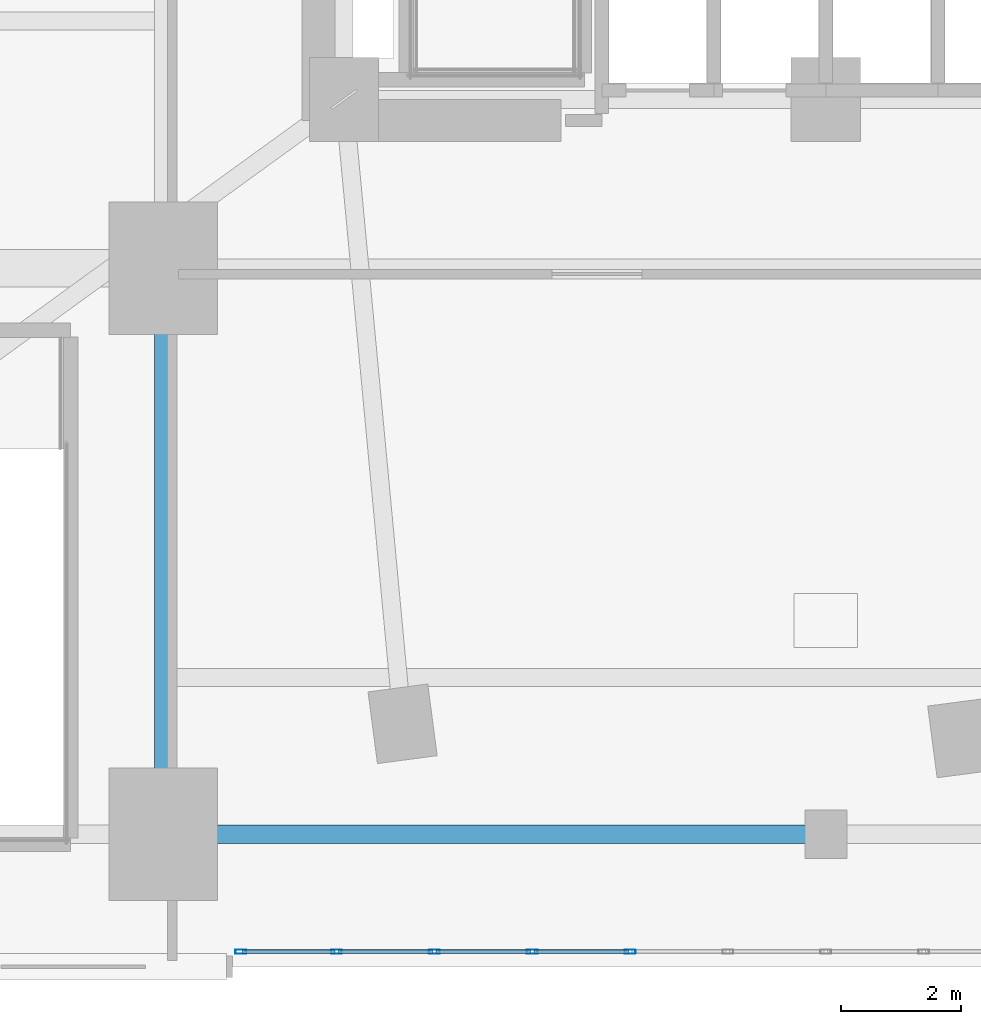
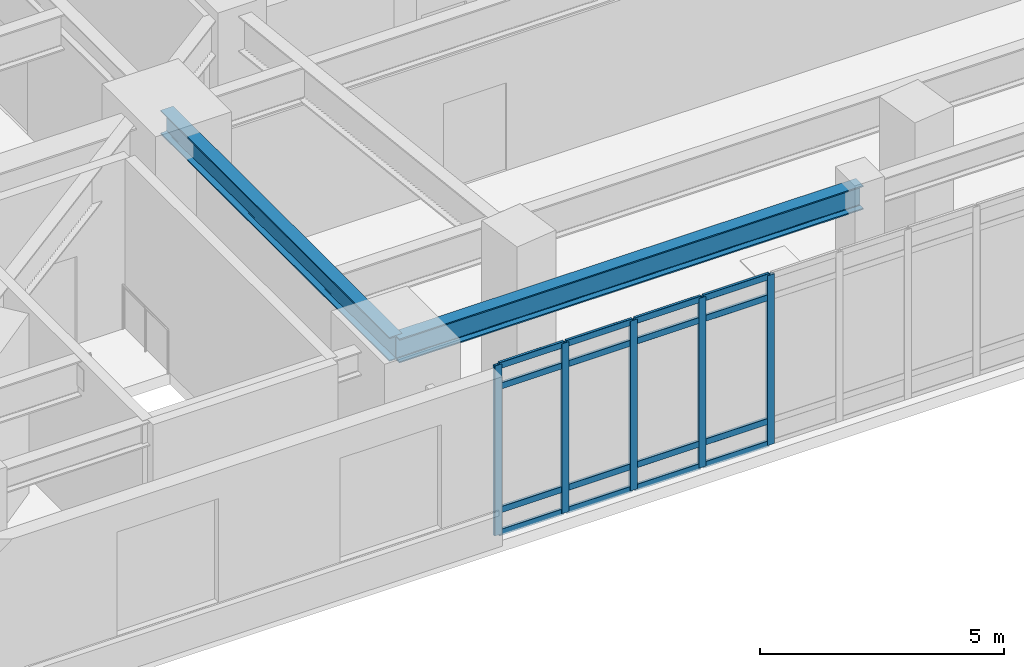
# One storey, part 2 of 20: 21 members, 2 beams, 1 element without a shape of its own.
"""IFC4 building model written with IfcOpenShell, lengths in metres."""

from ifc_helpers import new_model, si_unit, direction, frame, origin, origin_2d, place, context, subcontext, project, spatial, hollow_rectangle, i_section, extrude, material, layer, layer_set, material_profile, profile_set, type_object, element, aggregate, save


model = new_model("IFC4")

# Units and contexts
model_context = context("Model", 3, precision=1e-05, world=origin(), true_north=direction((0.0, 1.0)))
body_context = subcontext(model_context, "Body", "Model", "MODEL_VIEW")
ifc_project = project(units=[si_unit("LENGTHUNIT", "METRE"), si_unit("AREAUNIT", "SQUARE_METRE"), si_unit("VOLUMEUNIT", "CUBIC_METRE"), si_unit("PLANEANGLEUNIT", "RADIAN"), si_unit("MASSUNIT", "GRAM", prefix="KILO")], contexts=[model_context])

# Site, building, storey
site_placement = place(None, origin())
site = spatial("IfcSite", under=ifc_project, at=site_placement, CompositionType="ELEMENT")
building_placement = place(site_placement, origin())
building = spatial("IfcBuilding", under=site, at=building_placement, Name="Ndelora Gate Hotel", CompositionType="ELEMENT")
storey_placement = place(building_placement, frame((0.0, 0.0, 26.0)))
storey = spatial("IfcBuildingStorey", under=building, at=storey_placement, Name="L05", CompositionType="ELEMENT", Elevation=26.0)

# Beams
ifc_material_1 = material(Name="Steel S355", Category="steel")
ifc_material_profile_1 = material_profile(ifc_material_1, i_section(OverallWidth=0.300048828125, OverallDepth=0.60009765625, WebThickness=0.015380859375, FlangeThickness=0.030029296875, FilletRadius=0.027099609375, at=origin_2d()), Name="HEB 600")
ifc_profile_set_1 = profile_set([ifc_material_profile_1], Name="Steel S355")
beam_type = type_object("IfcBeamType", Name="BM-POD-600", PredefinedType="BEAM", material=ifc_profile_set_1)
beam_1_placement = place(storey_placement, frame((-11.0, -18.800048828125, 3.93994140625), z_axis=(0.0, 1.0, 0.0), x_axis=(-1.0, 0.0, 0.0)))
element("IfcBeam", 1, at=beam_1_placement, inside=storey, type_object=beam_type, Name="L05 Podium Longitudinal Girder X=-11.0", PredefinedType="BEAM", context=body_context, shape_type="SweptSolid", body=[
    extrude(i_section(OverallWidth=0.300048828125, OverallDepth=0.60009765625, WebThickness=0.015380859375, FlangeThickness=0.030029296875, FilletRadius=0.027099609375, at=origin_2d()), origin(), (0.0, 0.0, 1.0), 9.400146484375),
])
beam_2_placement = place(storey_placement, frame((-11.0, -18.800048828125, 3.93994140625), z_axis=(1.0, 0.0, 0.0), x_axis=(0.0, 1.0, 0.0)))
element("IfcBeam", 2, at=beam_2_placement, inside=storey, type_object=beam_type, Name="L05 Podium Transverse Girder Y=-18.8", PredefinedType="BEAM", context=body_context, shape_type="SweptSolid", body=[
    extrude(i_section(OverallWidth=0.300048828125, OverallDepth=0.60009765625, WebThickness=0.015380859375, FlangeThickness=0.030029296875, FilletRadius=0.027099609375, at=origin_2d()), origin(), (0.0, 0.0, 1.0), 11.0),
])

# Curtain wall, members
ifc_material_2 = material(Name="Bronze Anodised Unitised Aluminium and Low-E Glass", Category="aluminium")
ifc_layer = layer(ifc_material_2, 0.219970703125)
ifc_layer_set = layer_set([ifc_layer], Name="Bronze Anodised Unitised Aluminium and Low-E Glass")
curtain_wall_type = type_object("IfcCurtainWallType", Name="CW-SYS-2", PredefinedType="NOTDEFINED", material=ifc_layer_set)
curtain_wall_placement = place(storey_placement, origin())
curtain_wall = element("IfcCurtainWall", 3, at=curtain_wall_placement, inside=storey, type_object=curtain_wall_type, Name="L05 South Podium Foyer Curtain Wall CW2", PredefinedType="NOTDEFINED")
ifc_material_3 = material(Name="Bronze Anodised Aluminium 6063-T6", Category="aluminium")
ifc_material_profile_2 = material_profile(ifc_material_3, hollow_rectangle(XDim=0.070068359375, YDim=0.179931640625, WallThickness=0.0048828125, InnerFilletRadius=0.0048828125, OuterFilletRadius=0.010009765625, at=origin_2d()), Name="ALU 180x70x5")
ifc_profile_set_2 = profile_set([ifc_material_profile_2], Name="Bronze Anodised Aluminium 6063-T6")
member_type_1 = type_object("IfcMemberType", Name="MB-CW-MUL180", PredefinedType="MULLION", material=ifc_profile_set_2)
member_1_placement = place(storey_placement, frame((-9.715087890625, -20.75, -0.00390625), z_axis=(0.0, 0.0, 1.0), x_axis=(0.0, 1.0, 0.0)))
member_1 = element("IfcMember", 4, at=member_1_placement, type_object=member_type_1, Name="CW2 mullion 1", PredefinedType="MULLION", context=body_context, shape_type="SweptSolid", body=[
    extrude(hollow_rectangle(XDim=0.070068359375, YDim=0.179931640625, WallThickness=0.0048828125, InnerFilletRadius=0.0048828125, OuterFilletRadius=0.010009765625, at=origin_2d()), origin(), (0.0, 0.0, 1.0), 4.2578125),
])
member_2_placement = place(storey_placement, frame((-8.125, -20.75, -0.00390625), z_axis=(0.0, 0.0, 1.0), x_axis=(0.0, 1.0, 0.0)))
member_2 = element("IfcMember", 5, at=member_2_placement, type_object=member_type_1, Name="CW2 mullion 2", PredefinedType="MULLION", context=body_context, shape_type="SweptSolid", body=[
    extrude(hollow_rectangle(XDim=0.070068359375, YDim=0.179931640625, WallThickness=0.0048828125, InnerFilletRadius=0.0048828125, OuterFilletRadius=0.010009765625, at=origin_2d()), origin(), (0.0, 0.0, 1.0), 4.2578125),
])
member_3_placement = place(storey_placement, frame((-6.5, -20.75, -0.00390625), z_axis=(0.0, 0.0, 1.0), x_axis=(0.0, 1.0, 0.0)))
member_3 = element("IfcMember", 6, at=member_3_placement, type_object=member_type_1, Name="CW2 mullion 3", PredefinedType="MULLION", context=body_context, shape_type="SweptSolid", body=[
    extrude(hollow_rectangle(XDim=0.070068359375, YDim=0.179931640625, WallThickness=0.0048828125, InnerFilletRadius=0.0048828125, OuterFilletRadius=0.010009765625, at=origin_2d()), origin(), (0.0, 0.0, 1.0), 4.2578125),
])
member_4_placement = place(storey_placement, frame((-4.875, -20.75, -0.00390625), z_axis=(0.0, 0.0, 1.0), x_axis=(0.0, 1.0, 0.0)))
member_4 = element("IfcMember", 7, at=member_4_placement, type_object=member_type_1, Name="CW2 mullion 4", PredefinedType="MULLION", context=body_context, shape_type="SweptSolid", body=[
    extrude(hollow_rectangle(XDim=0.070068359375, YDim=0.179931640625, WallThickness=0.0048828125, InnerFilletRadius=0.0048828125, OuterFilletRadius=0.010009765625, at=origin_2d()), origin(), (0.0, 0.0, 1.0), 4.2578125),
])
member_5_placement = place(storey_placement, frame((-3.25, -20.75, -0.00390625), z_axis=(0.0, 0.0, 1.0), x_axis=(0.0, 1.0, 0.0)))
member_5 = element("IfcMember", 8, at=member_5_placement, type_object=member_type_1, Name="CW2 mullion 5", PredefinedType="MULLION", context=body_context, shape_type="SweptSolid", body=[
    extrude(hollow_rectangle(XDim=0.070068359375, YDim=0.179931640625, WallThickness=0.0048828125, InnerFilletRadius=0.0048828125, OuterFilletRadius=0.010009765625, at=origin_2d()), origin(), (0.0, 0.0, 1.0), 4.2578125),
])
ifc_material_profile_3 = material_profile(ifc_material_3, hollow_rectangle(XDim=0.06494140625, YDim=0.159912109375, WallThickness=0.00390625, InnerFilletRadius=0.00390625, OuterFilletRadius=0.008056640625, at=origin_2d()), Name="ALU 160x65x4")
ifc_profile_set_3 = profile_set([ifc_material_profile_3], Name="Bronze Anodised Aluminium 6063-T6")
member_type_2 = type_object("IfcMemberType", Name="MB-CW-TRN150", PredefinedType="USERDEFINED", material=ifc_profile_set_3)
member_6_placement = place(storey_placement, frame((-9.68603515625, -20.75, 0.032470703125), z_axis=(1.0, 0.0, 0.0), x_axis=(0.0, 1.0, 0.0)))
member_6 = element("IfcMember", 9, at=member_6_placement, type_object=member_type_2, Name="CW2 transom 1.1", ObjectType="TRANSOM", PredefinedType="USERDEFINED", context=body_context, shape_type="SweptSolid", body=[
    extrude(hollow_rectangle(XDim=0.06494140625, YDim=0.159912109375, WallThickness=0.00390625, InnerFilletRadius=0.00390625, OuterFilletRadius=0.008056640625, at=origin_2d()), origin(), (0.0, 0.0, 1.0), 1.531982421875),
])
member_7_placement = place(storey_placement, frame((-9.68603515625, -20.75, 0.60009765625), z_axis=(1.0, 0.0, 0.0), x_axis=(0.0, 1.0, 0.0)))
member_7 = element("IfcMember", 10, at=member_7_placement, type_object=member_type_2, Name="CW2 transom 1.2", ObjectType="TRANSOM", PredefinedType="USERDEFINED", context=body_context, shape_type="SweptSolid", body=[
    extrude(hollow_rectangle(XDim=0.06494140625, YDim=0.159912109375, WallThickness=0.00390625, InnerFilletRadius=0.00390625, OuterFilletRadius=0.008056640625, at=origin_2d()), origin(), (0.0, 0.0, 1.0), 1.531982421875),
])
member_8_placement = place(storey_placement, frame((-9.68603515625, -20.75, 3.699951171875), z_axis=(1.0, 0.0, 0.0), x_axis=(0.0, 1.0, 0.0)))
member_8 = element("IfcMember", 11, at=member_8_placement, type_object=member_type_2, Name="CW2 transom 1.3", ObjectType="TRANSOM", PredefinedType="USERDEFINED", context=body_context, shape_type="SweptSolid", body=[
    extrude(hollow_rectangle(XDim=0.06494140625, YDim=0.159912109375, WallThickness=0.00390625, InnerFilletRadius=0.00390625, OuterFilletRadius=0.008056640625, at=origin_2d()), origin(), (0.0, 0.0, 1.0), 1.531982421875),
])
member_9_placement = place(storey_placement, frame((-9.68603515625, -20.75, 4.217529296875), z_axis=(1.0, 0.0, 0.0), x_axis=(0.0, 1.0, 0.0)))
member_9 = element("IfcMember", 12, at=member_9_placement, type_object=member_type_2, Name="CW2 transom 1.4", ObjectType="TRANSOM", PredefinedType="USERDEFINED", context=body_context, shape_type="SweptSolid", body=[
    extrude(hollow_rectangle(XDim=0.06494140625, YDim=0.159912109375, WallThickness=0.00390625, InnerFilletRadius=0.00390625, OuterFilletRadius=0.008056640625, at=origin_2d()), origin(), (0.0, 0.0, 1.0), 1.531982421875),
])
member_10_placement = place(storey_placement, frame((-8.095947265625, -20.75, 0.032470703125), z_axis=(1.0, 0.0, 0.0), x_axis=(0.0, 1.0, 0.0)))
member_10 = element("IfcMember", 13, at=member_10_placement, type_object=member_type_2, Name="CW2 transom 2.1", ObjectType="TRANSOM", PredefinedType="USERDEFINED", context=body_context, shape_type="SweptSolid", body=[
    extrude(hollow_rectangle(XDim=0.06494140625, YDim=0.159912109375, WallThickness=0.00390625, InnerFilletRadius=0.00390625, OuterFilletRadius=0.008056640625, at=origin_2d()), origin(), (0.0, 0.0, 1.0), 1.56689453125),
])
member_11_placement = place(storey_placement, frame((-8.095947265625, -20.75, 0.60009765625), z_axis=(1.0, 0.0, 0.0), x_axis=(0.0, 1.0, 0.0)))
member_11 = element("IfcMember", 14, at=member_11_placement, type_object=member_type_2, Name="CW2 transom 2.2", ObjectType="TRANSOM", PredefinedType="USERDEFINED", context=body_context, shape_type="SweptSolid", body=[
    extrude(hollow_rectangle(XDim=0.06494140625, YDim=0.159912109375, WallThickness=0.00390625, InnerFilletRadius=0.00390625, OuterFilletRadius=0.008056640625, at=origin_2d()), origin(), (0.0, 0.0, 1.0), 1.56689453125),
])
member_12_placement = place(storey_placement, frame((-8.095947265625, -20.75, 3.699951171875), z_axis=(1.0, 0.0, 0.0), x_axis=(0.0, 1.0, 0.0)))
member_12 = element("IfcMember", 15, at=member_12_placement, type_object=member_type_2, Name="CW2 transom 2.3", ObjectType="TRANSOM", PredefinedType="USERDEFINED", context=body_context, shape_type="SweptSolid", body=[
    extrude(hollow_rectangle(XDim=0.06494140625, YDim=0.159912109375, WallThickness=0.00390625, InnerFilletRadius=0.00390625, OuterFilletRadius=0.008056640625, at=origin_2d()), origin(), (0.0, 0.0, 1.0), 1.56689453125),
])
member_13_placement = place(storey_placement, frame((-8.095947265625, -20.75, 4.217529296875), z_axis=(1.0, 0.0, 0.0), x_axis=(0.0, 1.0, 0.0)))
member_13 = element("IfcMember", 16, at=member_13_placement, type_object=member_type_2, Name="CW2 transom 2.4", ObjectType="TRANSOM", PredefinedType="USERDEFINED", context=body_context, shape_type="SweptSolid", body=[
    extrude(hollow_rectangle(XDim=0.06494140625, YDim=0.159912109375, WallThickness=0.00390625, InnerFilletRadius=0.00390625, OuterFilletRadius=0.008056640625, at=origin_2d()), origin(), (0.0, 0.0, 1.0), 1.56689453125),
])
member_14_placement = place(storey_placement, frame((-6.470947265625, -20.75, 0.032470703125), z_axis=(1.0, 0.0, 0.0), x_axis=(0.0, 1.0, 0.0)))
member_14 = element("IfcMember", 17, at=member_14_placement, type_object=member_type_2, Name="CW2 transom 3.1", ObjectType="TRANSOM", PredefinedType="USERDEFINED", context=body_context, shape_type="SweptSolid", body=[
    extrude(hollow_rectangle(XDim=0.06494140625, YDim=0.159912109375, WallThickness=0.00390625, InnerFilletRadius=0.00390625, OuterFilletRadius=0.008056640625, at=origin_2d()), origin(), (0.0, 0.0, 1.0), 1.56689453125),
])
member_15_placement = place(storey_placement, frame((-6.470947265625, -20.75, 0.60009765625), z_axis=(1.0, 0.0, 0.0), x_axis=(0.0, 1.0, 0.0)))
member_15 = element("IfcMember", 18, at=member_15_placement, type_object=member_type_2, Name="CW2 transom 3.2", ObjectType="TRANSOM", PredefinedType="USERDEFINED", context=body_context, shape_type="SweptSolid", body=[
    extrude(hollow_rectangle(XDim=0.06494140625, YDim=0.159912109375, WallThickness=0.00390625, InnerFilletRadius=0.00390625, OuterFilletRadius=0.008056640625, at=origin_2d()), origin(), (0.0, 0.0, 1.0), 1.56689453125),
])
member_16_placement = place(storey_placement, frame((-6.470947265625, -20.75, 3.699951171875), z_axis=(1.0, 0.0, 0.0), x_axis=(0.0, 1.0, 0.0)))
member_16 = element("IfcMember", 19, at=member_16_placement, type_object=member_type_2, Name="CW2 transom 3.3", ObjectType="TRANSOM", PredefinedType="USERDEFINED", context=body_context, shape_type="SweptSolid", body=[
    extrude(hollow_rectangle(XDim=0.06494140625, YDim=0.159912109375, WallThickness=0.00390625, InnerFilletRadius=0.00390625, OuterFilletRadius=0.008056640625, at=origin_2d()), origin(), (0.0, 0.0, 1.0), 1.56689453125),
])
member_17_placement = place(storey_placement, frame((-6.470947265625, -20.75, 4.217529296875), z_axis=(1.0, 0.0, 0.0), x_axis=(0.0, 1.0, 0.0)))
member_17 = element("IfcMember", 20, at=member_17_placement, type_object=member_type_2, Name="CW2 transom 3.4", ObjectType="TRANSOM", PredefinedType="USERDEFINED", context=body_context, shape_type="SweptSolid", body=[
    extrude(hollow_rectangle(XDim=0.06494140625, YDim=0.159912109375, WallThickness=0.00390625, InnerFilletRadius=0.00390625, OuterFilletRadius=0.008056640625, at=origin_2d()), origin(), (0.0, 0.0, 1.0), 1.56689453125),
])
member_18_placement = place(storey_placement, frame((-4.845947265625, -20.75, 0.032470703125), z_axis=(1.0, 0.0, 0.0), x_axis=(0.0, 1.0, 0.0)))
member_18 = element("IfcMember", 21, at=member_18_placement, type_object=member_type_2, Name="CW2 transom 4.1", ObjectType="TRANSOM", PredefinedType="USERDEFINED", context=body_context, shape_type="SweptSolid", body=[
    extrude(hollow_rectangle(XDim=0.06494140625, YDim=0.159912109375, WallThickness=0.00390625, InnerFilletRadius=0.00390625, OuterFilletRadius=0.008056640625, at=origin_2d()), origin(), (0.0, 0.0, 1.0), 1.56689453125),
])
member_19_placement = place(storey_placement, frame((-4.845947265625, -20.75, 0.60009765625), z_axis=(1.0, 0.0, 0.0), x_axis=(0.0, 1.0, 0.0)))
member_19 = element("IfcMember", 22, at=member_19_placement, type_object=member_type_2, Name="CW2 transom 4.2", ObjectType="TRANSOM", PredefinedType="USERDEFINED", context=body_context, shape_type="SweptSolid", body=[
    extrude(hollow_rectangle(XDim=0.06494140625, YDim=0.159912109375, WallThickness=0.00390625, InnerFilletRadius=0.00390625, OuterFilletRadius=0.008056640625, at=origin_2d()), origin(), (0.0, 0.0, 1.0), 1.56689453125),
])
member_20_placement = place(storey_placement, frame((-4.845947265625, -20.75, 3.699951171875), z_axis=(1.0, 0.0, 0.0), x_axis=(0.0, 1.0, 0.0)))
member_20 = element("IfcMember", 23, at=member_20_placement, type_object=member_type_2, Name="CW2 transom 4.3", ObjectType="TRANSOM", PredefinedType="USERDEFINED", context=body_context, shape_type="SweptSolid", body=[
    extrude(hollow_rectangle(XDim=0.06494140625, YDim=0.159912109375, WallThickness=0.00390625, InnerFilletRadius=0.00390625, OuterFilletRadius=0.008056640625, at=origin_2d()), origin(), (0.0, 0.0, 1.0), 1.56689453125),
])
member_21_placement = place(storey_placement, frame((-4.845947265625, -20.75, 4.217529296875), z_axis=(1.0, 0.0, 0.0), x_axis=(0.0, 1.0, 0.0)))
member_21 = element("IfcMember", 24, at=member_21_placement, type_object=member_type_2, Name="CW2 transom 4.4", ObjectType="TRANSOM", PredefinedType="USERDEFINED", context=body_context, shape_type="SweptSolid", body=[
    extrude(hollow_rectangle(XDim=0.06494140625, YDim=0.159912109375, WallThickness=0.00390625, InnerFilletRadius=0.00390625, OuterFilletRadius=0.008056640625, at=origin_2d()), origin(), (0.0, 0.0, 1.0), 1.56689453125),
])
aggregate(curtain_wall, [member_1, member_2, member_3, member_4, member_5, member_6, member_7, member_8, member_9, member_10, member_11, member_12, member_13, member_14, member_15, member_16, member_17, member_18, member_19, member_20, member_21])

save(model, "model.ifc")
